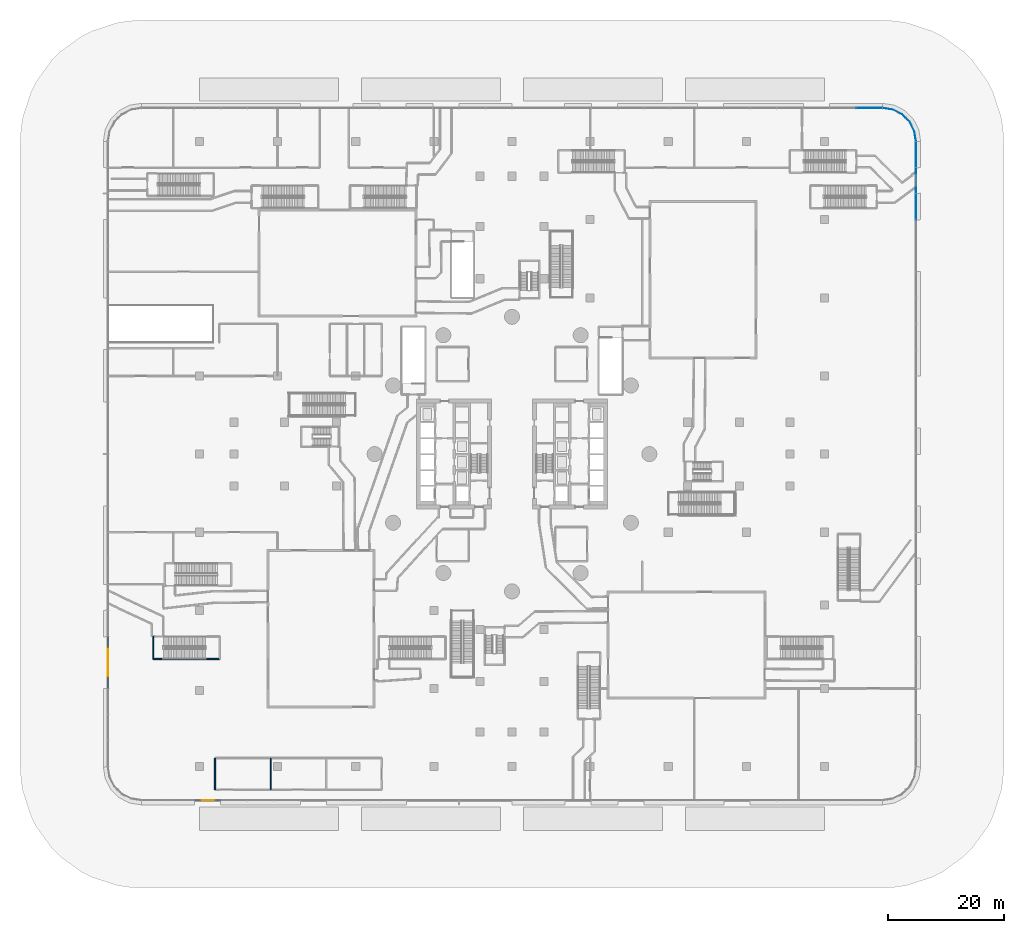
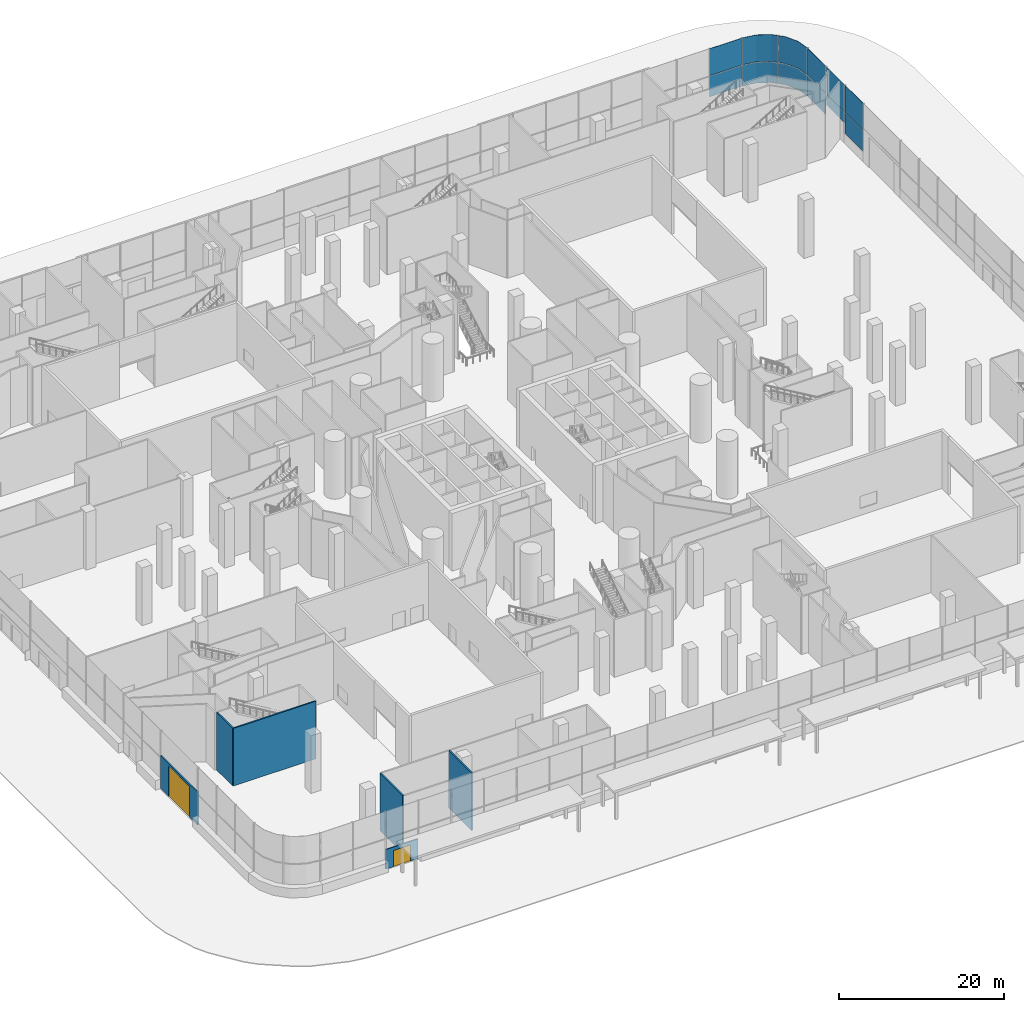
# One storey, part 20 of 54: 12 plates, 6 walls, 2 doors, 2 openings, 3 elements without a shape of their own.
"""IFC4 building model written with IfcOpenShell, lengths in metres."""

from ifc_helpers import new_model, si_unit, direction, frame, frame_2d, origin, place, context, subcontext, project, spatial, polyline, rectangle, outline, extrude, material, layer, layer_set, type_object, element, fill, aggregate, save


model = new_model("IFC4")

# Units and contexts
model_context = context("Model", 3, precision=1e-05, world=origin(), true_north=direction((0.0, 1.0)))
body_context = subcontext(model_context, "Body", "Model", "MODEL_VIEW")
ifc_project = project(units=[si_unit("LENGTHUNIT", "METRE"), si_unit("AREAUNIT", "SQUARE_METRE"), si_unit("VOLUMEUNIT", "CUBIC_METRE"), si_unit("PLANEANGLEUNIT", "RADIAN"), si_unit("MASSUNIT", "GRAM", prefix="KILO")], contexts=[model_context])

# Site, building, storey
site_placement = place(None, origin())
site = spatial("IfcSite", under=ifc_project, at=site_placement, CompositionType="ELEMENT")
building_placement = place(site_placement, origin())
building = spatial("IfcBuilding", under=site, at=building_placement, Name="Tamarind Cross Interchange Tower", CompositionType="ELEMENT")
storey_placement = place(building_placement, origin())
storey = spatial("IfcBuildingStorey", under=building, at=storey_placement, Name="L00", CompositionType="ELEMENT", Elevation=0.0)

# Curtain wall, plates
ifc_material_1 = material(Name="Aluminium 6063-T6", Category="aluminium")
ifc_layer_1 = layer(ifc_material_1, 0.199951171875)
ifc_layer_set_1 = layer_set([ifc_layer_1], Name="Aluminium 6063-T6")
curtain_wall_type = type_object("IfcCurtainWallType", Name="Podium shopfront and station curtain wall", PredefinedType="NOTDEFINED", material=ifc_layer_set_1)
curtain_wall_1_placement = place(storey_placement, origin())
curtain_wall_1 = element("IfcCurtainWall", 1, at=curtain_wall_1_placement, inside=storey, type_object=curtain_wall_type, Name="CWS-L00-00", PredefinedType="NOTDEFINED")
ifc_material_2 = material(Name="Toughened low-e glass 10+12+10", Category="glass")
ifc_layer_2 = layer(ifc_material_2, 0.031982421875)
ifc_layer_set_2 = layer_set([ifc_layer_2], Name="Toughened low-e glass 10+12+10")
plate_type = type_object("IfcPlateType", Name="Vision panel CW3", PredefinedType="CURTAIN_PANEL", material=ifc_layer_set_2)
plate_1_placement = place(storey_placement, frame((0.0, 0.0, 1.39990234375)))
plate_1 = element("IfcPlate", 2, at=plate_1_placement, type_object=plate_type, Name="CWP-L00-00-21-0", PredefinedType="CURTAIN_PANEL", context=body_context, shape_type="SweptSolid", body=[
    extrude(outline(polyline([(69.783935546875, 40.528076171875), (69.783935546875, 44.94677734375), (69.81591796875, 44.94677734375), (69.81591796875, 40.528076171875), (69.783935546875, 40.528076171875)])), origin(), (0.0, 0.0, 1.0), 3.070068359375),
])
plate_2_placement = place(storey_placement, frame((0.0, 0.0, 4.530029296875)))
plate_2 = element("IfcPlate", 3, at=plate_2_placement, type_object=plate_type, Name="CWP-L00-00-21-1", PredefinedType="CURTAIN_PANEL", context=body_context, shape_type="SweptSolid", body=[
    extrude(outline(polyline([(69.783935546875, 40.528076171875), (69.783935546875, 44.94677734375), (69.81591796875, 44.94677734375), (69.81591796875, 40.528076171875), (69.783935546875, 40.528076171875)])), origin(), (0.0, 0.0, 1.0), 3.969970703125),
])
plate_3_placement = place(storey_placement, frame((0.0, 0.0, 2.89990234375)))
plate_3 = element("IfcPlate", 4, at=plate_3_placement, type_object=plate_type, Name="CWP-L00-00-22-0", PredefinedType="CURTAIN_PANEL", context=body_context, shape_type="SweptSolid", body=[
    extrude(outline(polyline([(69.783935546875, 45.02685546875), (69.783935546875, 49.445556640625), (69.81591796875, 49.445556640625), (69.81591796875, 45.02685546875), (69.783935546875, 45.02685546875)])), origin(), (0.0, 0.0, 1.0), 1.570068359375),
])
plate_4_placement = place(storey_placement, frame((0.0, 0.0, 4.530029296875)))
plate_4 = element("IfcPlate", 5, at=plate_4_placement, type_object=plate_type, Name="CWP-L00-00-22-1", PredefinedType="CURTAIN_PANEL", context=body_context, shape_type="SweptSolid", body=[
    extrude(outline(polyline([(69.783935546875, 45.02685546875), (69.783935546875, 49.445556640625), (69.81591796875, 49.445556640625), (69.81591796875, 45.02685546875), (69.783935546875, 45.02685546875)])), origin(), (0.0, 0.0, 1.0), 3.969970703125),
])
plate_5_placement = place(storey_placement, frame((0.0, 0.0, 1.39990234375)))
plate_5 = element("IfcPlate", 6, at=plate_5_placement, type_object=plate_type, Name="CWP-L00-00-23-0", PredefinedType="CURTAIN_PANEL", context=body_context, shape_type="SweptSolid", body=[
    extrude(outline(polyline([(69.783935546875, 49.525634765625), (69.783935546875, 53.9443359375), (69.81591796875, 53.9443359375), (69.81591796875, 49.525634765625), (69.783935546875, 49.525634765625)])), origin(), (0.0, 0.0, 1.0), 3.070068359375),
])
plate_6_placement = place(storey_placement, frame((0.0, 0.0, 4.530029296875)))
plate_6 = element("IfcPlate", 7, at=plate_6_placement, type_object=plate_type, Name="CWP-L00-00-23-1", PredefinedType="CURTAIN_PANEL", context=body_context, shape_type="SweptSolid", body=[
    extrude(outline(polyline([(69.783935546875, 49.525634765625), (69.783935546875, 53.9443359375), (69.81591796875, 53.9443359375), (69.81591796875, 49.525634765625), (69.783935546875, 49.525634765625)])), origin(), (0.0, 0.0, 1.0), 3.969970703125),
])
aggregate(curtain_wall_1, [plate_1, plate_2, plate_3, plate_4, plate_5, plate_6])

curtain_wall_2_placement = place(storey_placement, origin())
curtain_wall_2 = element("IfcCurtainWall", 8, at=curtain_wall_2_placement, inside=storey, type_object=curtain_wall_type, Name="CWS-L00-01", PredefinedType="NOTDEFINED")
plate_7_placement = place(storey_placement, frame((0.0, 0.0, 1.39990234375)))
plate_7 = element("IfcPlate", 9, at=plate_7_placement, type_object=plate_type, Name="CWP-L00-01-00-0", PredefinedType="CURTAIN_PANEL", context=body_context, shape_type="SweptSolid", body=[
    extrude(outline(polyline([(69.77783203125, 54.021240234375), (69.498291015625, 55.78662109375), (68.67724609375, 57.398193359375), (68.06591796875, 58.00927734375), (68.088623046875, 58.031982421875), (68.703369140625, 57.417236328125), (69.529052734375, 55.796630859375), (69.8095703125, 54.0263671875), (69.77783203125, 54.021240234375)])), origin(), (0.0, 0.0, 1.0), 3.070068359375),
])
plate_8_placement = place(storey_placement, frame((0.0, 0.0, 4.530029296875)))
plate_8 = element("IfcPlate", 10, at=plate_8_placement, type_object=plate_type, Name="CWP-L00-01-00-1", PredefinedType="CURTAIN_PANEL", context=body_context, shape_type="SweptSolid", body=[
    extrude(outline(polyline([(69.77783203125, 54.021240234375), (69.498291015625, 55.78662109375), (68.67724609375, 57.398193359375), (68.06591796875, 58.00927734375), (68.088623046875, 58.031982421875), (68.703369140625, 57.417236328125), (69.529052734375, 55.796630859375), (69.8095703125, 54.0263671875), (69.77783203125, 54.021240234375)])), origin(), (0.0, 0.0, 1.0), 3.969970703125),
])
plate_9_placement = place(storey_placement, frame((0.0, 0.0, 1.39990234375)))
plate_9 = element("IfcPlate", 11, at=plate_9_placement, type_object=plate_type, Name="CWP-L00-01-01-0", PredefinedType="CURTAIN_PANEL", context=body_context, shape_type="SweptSolid", body=[
    extrude(outline(polyline([(68.00927734375, 58.06591796875), (67.398193359375, 58.67724609375), (65.78662109375, 59.498291015625), (64.021240234375, 59.77783203125), (64.0263671875, 59.8095703125), (65.796630859375, 59.529052734375), (67.417236328125, 58.703369140625), (68.031982421875, 58.088623046875), (68.00927734375, 58.06591796875)])), origin(), (0.0, 0.0, 1.0), 3.070068359375),
])
plate_10_placement = place(storey_placement, frame((0.0, 0.0, 4.530029296875)))
plate_10 = element("IfcPlate", 12, at=plate_10_placement, type_object=plate_type, Name="CWP-L00-01-01-1", PredefinedType="CURTAIN_PANEL", context=body_context, shape_type="SweptSolid", body=[
    extrude(outline(polyline([(68.00927734375, 58.06591796875), (67.398193359375, 58.67724609375), (65.78662109375, 59.498291015625), (64.021240234375, 59.77783203125), (64.0263671875, 59.8095703125), (65.796630859375, 59.529052734375), (67.417236328125, 58.703369140625), (68.031982421875, 58.088623046875), (68.00927734375, 58.06591796875)])), origin(), (0.0, 0.0, 1.0), 3.969970703125),
])
aggregate(curtain_wall_2, [plate_7, plate_8, plate_9, plate_10])

curtain_wall_3_placement = place(storey_placement, origin())
curtain_wall_3 = element("IfcCurtainWall", 13, at=curtain_wall_3_placement, inside=storey, type_object=curtain_wall_type, Name="CWS-L00-02", PredefinedType="NOTDEFINED")
plate_11_placement = place(storey_placement, frame((0.0, 0.0, 1.39990234375)))
plate_11 = element("IfcPlate", 14, at=plate_11_placement, type_object=plate_type, Name="CWP-L00-02-00-0", PredefinedType="CURTAIN_PANEL", context=body_context, shape_type="SweptSolid", body=[
    extrude(outline(polyline([(63.9443359375, 59.783935546875), (59.453857421875, 59.783935546875), (59.453857421875, 59.81591796875), (63.9443359375, 59.81591796875), (63.9443359375, 59.783935546875)])), origin(), (0.0, 0.0, 1.0), 3.070068359375),
])
plate_12_placement = place(storey_placement, frame((0.0, 0.0, 4.530029296875)))
plate_12 = element("IfcPlate", 15, at=plate_12_placement, type_object=plate_type, Name="CWP-L00-02-00-1", PredefinedType="CURTAIN_PANEL", context=body_context, shape_type="SweptSolid", body=[
    extrude(outline(polyline([(63.9443359375, 59.783935546875), (59.453857421875, 59.783935546875), (59.453857421875, 59.81591796875), (63.9443359375, 59.81591796875), (63.9443359375, 59.783935546875)])), origin(), (0.0, 0.0, 1.0), 3.969970703125),
])
aggregate(curtain_wall_3, [plate_11, plate_12])

# Walls
ifc_material_3 = material(Name="Masonry partition, fire-rated", Category="masonry")
ifc_layer_3 = layer(ifc_material_3, 0.199951171875)
ifc_layer_set_3 = layer_set([ifc_layer_3], Name="Masonry partition, fire-rated")
wall_type_1 = type_object("IfcWallType", Name="Fire partition 200 EI 120", PredefinedType="PARTITIONING", material=ifc_layer_set_3)
for number, where, z_axis, x_axis, name in (
    (16, (-41.699951171875, -58.0, 0.0), (0.0, 0.0, 1.0), (0.0, 1.0, 0.0), "L00 partition 75"),
    (17, (-51.300048828125, -58.0, 0.0), (0.0, 0.0, 1.0), (0.0, 1.0, 0.0), "L00 partition 76"),
):
    element("IfcWall", number, at=place(storey_placement, frame(where, z_axis=z_axis, x_axis=x_axis)), inside=storey, type_object=wall_type_1, Name=name, PredefinedType="PARTITIONING", context=body_context, shape_type="SweptSolid", body=[
        extrude(rectangle(XDim=5.5, YDim=0.199951171875, at=frame_2d((2.75, 0.0))), origin(), (0.0, 0.0, 1.0), 8.5),
    ])

# Wall, opening, door
ifc_material_4 = material(Name="Precast concrete C40", Category="concrete")
ifc_layer_4 = layer(ifc_material_4, 0.35009765625)
ifc_layer_set_4 = layer_set([ifc_layer_4], Name="Precast concrete C40")
wall_type_2 = type_object("IfcWallType", Name="Podium facade wall", PredefinedType="SOLIDWALL", material=ifc_layer_set_4)
wall_1_placement = place(storey_placement, frame((-69.800048828125, -31.53076171875, 0.0), z_axis=(0.0, 0.0, 1.0), x_axis=(0.0, -1.0, 0.0)))
wall_1 = element("IfcWall", 18, at=wall_1_placement, inside=storey, type_object=wall_type_2, Name="EXW-L00-04-D19", PredefinedType="SOLIDWALL", context=body_context, shape_type="SweptSolid", body=[
    extrude(rectangle(XDim=8.91748046875, YDim=0.199951171875, at=frame_2d((4.458740234375, 0.0))), origin(), (0.0, 0.0, 1.0), 4.89990234375),
])
opening_1_placement = place(wall_1_placement, frame((1.958740234375, 0.0, 0.0)))
opening_1 = element("IfcOpeningElement", 19, at=opening_1_placement, cuts=wall_1, Name="Opening D9", PredefinedType="OPENING", context=body_context, shape_type="SweptSolid", body=[
    extrude(rectangle(XDim=5.0, YDim=4.5, at=frame_2d((2.5, 2.25))), frame((0.0, 0.10986328125, 0.0), z_axis=(0.0, -1.0, 0.0), x_axis=(1.0, 0.0, 0.0)), (0.0, 0.0, 1.0), 0.219970703125),
])
ifc_material_5 = material(Name="Galvanised steel", Category="steel")
door_type_1 = type_object("IfcDoorType", Name="Vehicle roller shutter, 5.0 m", OperationType="ROLLINGUP", PredefinedType="DOOR", material=ifc_material_5)
door_1_placement = place(opening_1_placement, origin())
door_1 = element("IfcDoor", 20, at=door_1_placement, inside=storey, type_object=door_type_1, Name="DOR-L00-04-19", OperationType="SINGLE_SWING_LEFT", OverallHeight=4.5, OverallWidth=5.0, PredefinedType="DOOR", context=body_context, shape_type="SweptSolid", body=[
    extrude(rectangle(XDim=5.0, YDim=4.5, at=frame_2d((2.5, 2.25))), frame((0.0, 0.02490234375, 0.0), z_axis=(0.0, -1.0, 0.0), x_axis=(1.0, 0.0, 0.0)), (0.0, 0.0, 1.0), 0.050048828125),
])
fill(opening_1, door_1)

wall_2_placement = place(storey_placement, frame((-54.8037109375, -59.800048828125, 0.0), z_axis=(0.0, 0.0, 1.0), x_axis=(1.0, 0.0, 0.0)))
wall_2 = element("IfcWall", 21, at=wall_2_placement, inside=storey, type_object=wall_type_2, Name="EXW-L00-06-D02", PredefinedType="SOLIDWALL", context=body_context, shape_type="SweptSolid", body=[
    extrude(rectangle(XDim=4.490478515625, YDim=0.199951171875, at=frame_2d((2.2451171875, 0.0))), origin(), (0.0, 0.0, 1.0), 2.89990234375),
])
opening_2_placement = place(wall_2_placement, frame((1.045166015625, 0.0, 0.0)))
opening_2 = element("IfcOpeningElement", 22, at=opening_2_placement, cuts=wall_2, Name="Opening D1", PredefinedType="OPENING", context=body_context, shape_type="SweptSolid", body=[
    extrude(rectangle(XDim=2.39990234375, YDim=2.39990234375, at=frame_2d((1.199951171875, 1.199951171875))), frame((0.0, 0.10986328125, 0.0), z_axis=(0.0, -1.0, 0.0), x_axis=(1.0, 0.0, 0.0)), (0.0, 0.0, 1.0), 0.219970703125),
])
ifc_material_6 = material(Name="Toughened glass and aluminium", Category="aluminium")
door_type_2 = type_object("IfcDoorType", Name="Station entrance door", OperationType="DOUBLE_DOOR_DOUBLE_SWING", PredefinedType="DOOR", material=ifc_material_6)
door_2_placement = place(opening_2_placement, frame((2.39990234375, 0.0, 0.0), z_axis=(0.0, 0.0, 1.0), x_axis=(-1.0, 0.0, 0.0)))
door_2 = element("IfcDoor", 23, at=door_2_placement, inside=storey, type_object=door_type_2, Name="DOR-L00-06-02", OperationType="DOUBLE_DOOR_DOUBLE_SWING", OverallHeight=2.39990234375, OverallWidth=2.39990234375, PredefinedType="DOOR", context=body_context, shape_type="SweptSolid", body=[
    extrude(rectangle(XDim=2.39990234375, YDim=2.39990234375, at=frame_2d((1.199951171875, 1.199951171875))), frame((0.0, 0.02490234375, 0.0), z_axis=(0.0, -1.0, 0.0), x_axis=(1.0, 0.0, 0.0)), (0.0, 0.0, 1.0), 0.050048828125),
])
fill(opening_2, door_2)

# Walls
ifc_material_7 = material(Name="Concrete C40", Category="concrete")
ifc_layer_5 = layer(ifc_material_7, 0.199951171875)
ifc_layer_set_5 = layer_set([ifc_layer_5], Name="Concrete C40")
wall_type_3 = type_object("IfcWallType", Name="Stair shaft wall 200 EI 180", PredefinedType="PARTITIONING", material=ifc_layer_set_5)
wall_3_placement = place(storey_placement, frame((-62.0, -35.39990234375, 0.0), z_axis=(0.0, 0.0, 1.0), x_axis=(1.0, 0.0, 0.0)))
element("IfcWall", 24, at=wall_3_placement, inside=storey, type_object=wall_type_3, Name="L00 stair shaft wall 7", PredefinedType="PARTITIONING", context=body_context, shape_type="SweptSolid", body=[
    extrude(rectangle(XDim=11.5, YDim=0.199951171875, at=frame_2d((5.75, 0.0))), origin(), (0.0, 0.0, 1.0), 8.5),
])
wall_4_placement = place(storey_placement, frame((-62.0, -35.39990234375, 0.0), z_axis=(0.0, 0.0, 1.0), x_axis=(0.0, 1.0, 0.0)))
element("IfcWall", 25, at=wall_4_placement, inside=storey, type_object=wall_type_3, Name="L00 stair shaft wall 8", PredefinedType="PARTITIONING", context=body_context, shape_type="SweptSolid", body=[
    extrude(rectangle(XDim=3.89990234375, YDim=0.199951171875, at=frame_2d((1.949951171875, 0.0))), origin(), (0.0, 0.0, 1.0), 8.5),
])

save(model, "model.ifc")
